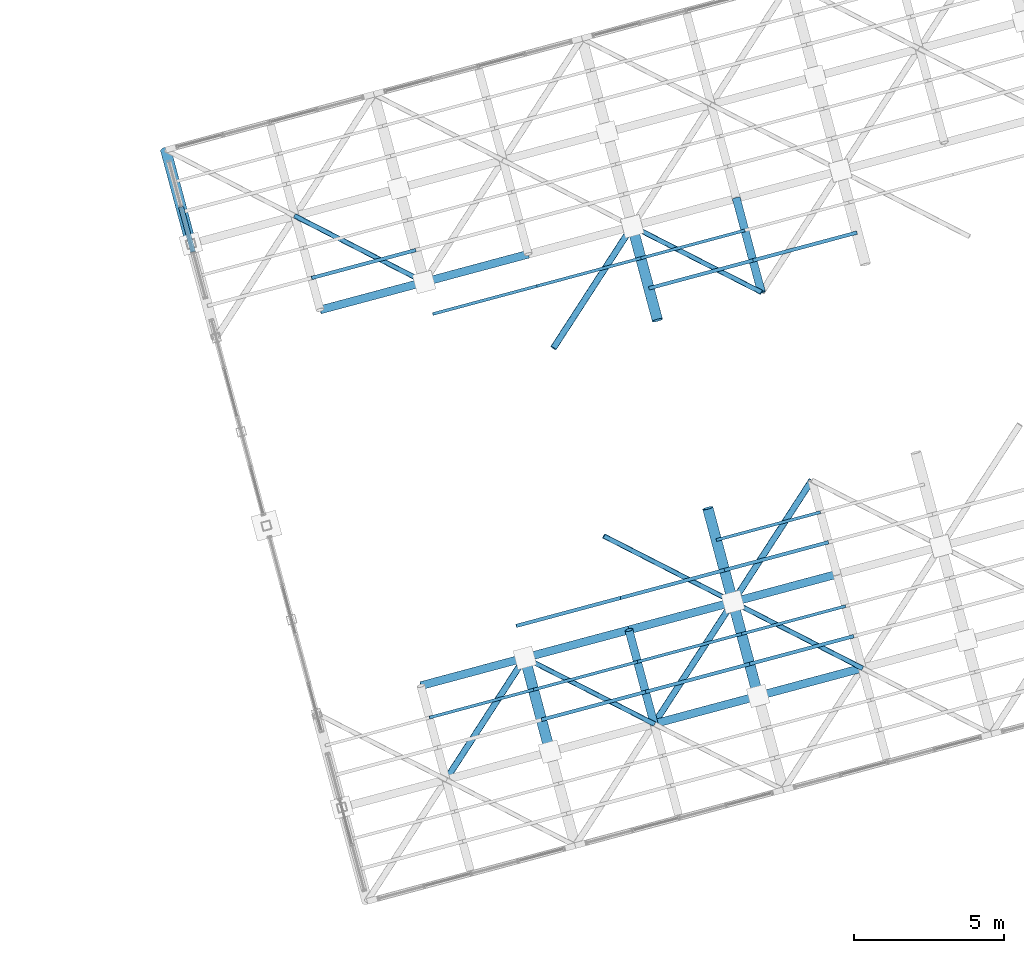
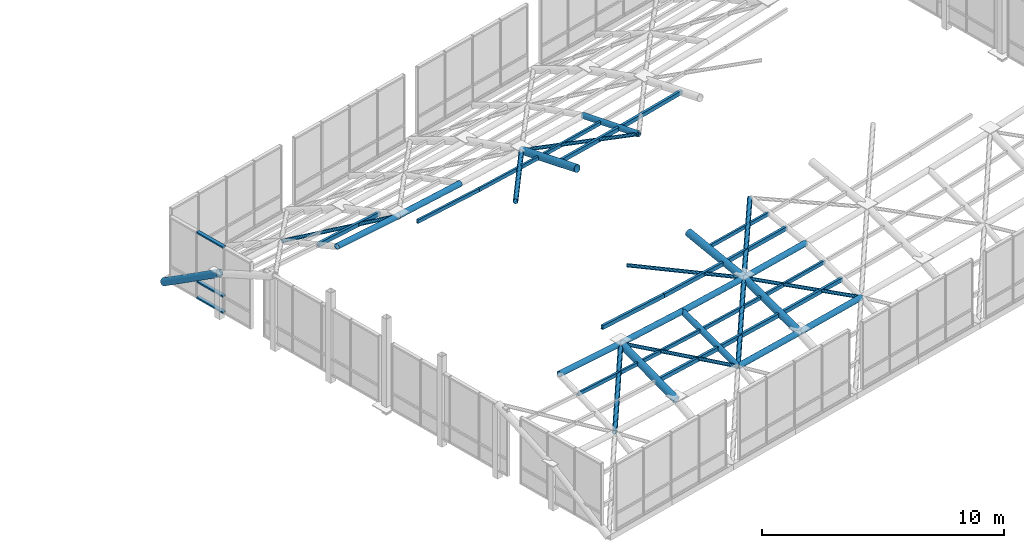
# One storey, part 9 of 29: 44 members, 1 element without a shape of its own.
"""IFC4 building model written with IfcOpenShell, lengths in metres."""

from ifc_helpers import new_model, si_unit, direction, frame, origin, origin_2d, place, context, subcontext, project, spatial, hollow_rectangle, hollow_circle, extrude, material, layer, layer_set, material_profile, profile_set, type_object, element, aggregate, save


model = new_model("IFC4")

# Units and contexts
model_context = context("Model", 3, precision=1e-05, world=origin(), true_north=direction((0.0, 1.0)))
body_context = subcontext(model_context, "Body", "Model", "MODEL_VIEW")
ifc_project = project(units=[si_unit("LENGTHUNIT", "METRE"), si_unit("AREAUNIT", "SQUARE_METRE"), si_unit("VOLUMEUNIT", "CUBIC_METRE"), si_unit("PLANEANGLEUNIT", "RADIAN"), si_unit("MASSUNIT", "GRAM", prefix="KILO")], contexts=[model_context])

# Site, building, storey
site_placement = place(None, origin())
site = spatial("IfcSite", under=ifc_project, at=site_placement, CompositionType="ELEMENT")
building_placement = place(site_placement, origin())
building = spatial("IfcBuilding", under=site, at=building_placement, Name="Ventoquebrada Cableway Terminal", CompositionType="ELEMENT")
storey_placement = place(building_placement, frame((0.0, 0.0, 18.89990234375)))
storey = spatial("IfcBuildingStorey", under=building, at=storey_placement, Name="L04", CompositionType="ELEMENT", Elevation=18.89990234375)

# Members
ifc_material_1 = material(Name="Steel ASTM A500 Grade C", Category="steel")
ifc_material_profile_1 = material_profile(ifc_material_1, hollow_circle(Radius=0.109619140625, WallThickness=0.010009765625, at=origin_2d()), Name="CHS219.1X10")
ifc_profile_set_1 = profile_set([ifc_material_profile_1], Name="Steel ASTM A500 Grade C")
member_type_1 = type_object("IfcMemberType", Name="BRC-GS01", PredefinedType="BRACE", material=ifc_profile_set_1)
member_1_placement = place(storey_placement, frame((54.614013671875, 73.85498046875, 2.797119140625), z_axis=(0.529692336881, 0.818062398582, 0.224053431744), x_axis=(-0.839402648036, 0.543510068416, 0.0)))
element("IfcMember", 1, at=member_1_placement, inside=storey, type_object=member_type_1, Name="Saddle gridshell diagrid brace GBR-0220", PredefinedType="BRACE", context=body_context, shape_type="SweptSolid", body=[
    extrude(hollow_circle(Radius=0.109619140625, WallThickness=0.010009765625, at=origin_2d()), origin(), (0.0, 0.0, 1.0), 4.9765625),
])
member_2_placement = place(storey_placement, frame((61.569091796875, 75.718994140625, 2.571044921875), z_axis=(0.530491126417, 0.819296057516, 0.217561795663), x_axis=(-0.839402648036, 0.543510068416, 0.0)))
element("IfcMember", 2, at=member_2_placement, inside=storey, type_object=member_type_1, Name="Saddle gridshell diagrid brace GBR-0268", PredefinedType="BRACE", context=body_context, shape_type="SweptSolid", body=[
    extrude(hollow_circle(Radius=0.109619140625, WallThickness=0.010009765625, at=origin_2d()), origin(), (0.0, 0.0, 1.0), 4.968994140625),
])
member_3_placement = place(storey_placement, frame((58.2041015625, 88.27587890625, 4.45703125), z_axis=(0.536175682864, 0.828075346092, -0.163728000963), x_axis=(-0.839402648036, 0.543510068416, 0.0)))
element("IfcMember", 3, at=member_3_placement, inside=storey, type_object=member_type_1, Name="Saddle gridshell diagrid brace GBR-0280", PredefinedType="BRACE", context=body_context, shape_type="SweptSolid", body=[
    extrude(hollow_circle(Radius=0.109619140625, WallThickness=0.010009765625, at=origin_2d()), origin(), (0.0, 0.0, 1.0), 4.916259765625),
])
member_4_placement = place(storey_placement, frame((64.205078125, 79.7900390625, 3.652099609375), z_axis=(0.538794464723, 0.832119820251, 0.131442495145), x_axis=(-0.839402648036, 0.543510068416, 0.0)))
element("IfcMember", 4, at=member_4_placement, inside=storey, type_object=member_type_1, Name="Saddle gridshell diagrid brace GBR-0295", PredefinedType="BRACE", context=body_context, shape_type="SweptSolid", body=[
    extrude(hollow_circle(Radius=0.109619140625, WallThickness=0.010009765625, at=origin_2d()), origin(), (0.0, 0.0, 1.0), 4.892333984375),
])
ifc_material_profile_2 = material_profile(ifc_material_1, hollow_circle(Radius=0.084228515625, WallThickness=0.008056640625, at=origin_2d()), Name="CHS168.3X8")
ifc_profile_set_2 = profile_set([ifc_material_profile_2], Name="Steel ASTM A500 Grade C")
member_type_2 = type_object("IfcMemberType", Name="BRC-GS02", PredefinedType="BRACE", material=ifc_profile_set_2)
member_5_placement = place(storey_placement, frame((49.56689453125, 92.69091796875, 2.797119140625), z_axis=(0.867766030376, -0.443619692427, 0.224017153396), x_axis=(0.455188209039, 0.890395246142, 0.0)))
element("IfcMember", 5, at=member_5_placement, inside=storey, type_object=member_type_2, Name="Saddle gridshell diagrid brace GBR-0235", PredefinedType="BRACE", context=body_context, shape_type="SweptSolid", body=[
    extrude(hollow_circle(Radius=0.084228515625, WallThickness=0.008056640625, at=origin_2d()), origin(), (0.0, 0.0, 1.0), 4.977294921875),
])
member_6_placement = place(storey_placement, frame((57.25, 77.926025390625, 3.912109375), z_axis=(0.858274732371, -0.43857348825, -0.266491611832), x_axis=(0.455028578566, 0.890476834448, 0.0)))
element("IfcMember", 6, at=member_6_placement, inside=storey, type_object=member_type_2, Name="Saddle gridshell diagrid brace GBR-0244", PredefinedType="BRACE", context=body_context, shape_type="SweptSolid", body=[
    extrude(hollow_circle(Radius=0.084228515625, WallThickness=0.008056640625, at=origin_2d()), origin(), (0.0, 0.0, 1.0), 5.0322265625),
])
member_7_placement = place(storey_placement, frame((59.885986328125, 81.9970703125, 4.45703125), z_axis=(0.878462169877, -0.448889153564, -0.163715435763), x_axis=(0.455028578566, 0.890476834448, 0.0)))
element("IfcMember", 7, at=member_7_placement, inside=storey, type_object=member_type_2, Name="Saddle gridshell diagrid brace GBR-0271", PredefinedType="BRACE", context=body_context, shape_type="SweptSolid", body=[
    extrude(hollow_circle(Radius=0.084228515625, WallThickness=0.008056640625, at=origin_2d()), origin(), (0.0, 0.0, 1.0), 4.916748046875),
])
member_8_placement = place(storey_placement, frame((64.205078125, 79.7900390625, 3.652099609375), z_axis=(0.866038702365, -0.44286181297, -0.232056847818), x_axis=(0.455290222831, 0.890343087239, 0.0)))
element("IfcMember", 8, at=member_8_placement, inside=storey, type_object=member_type_2, Name="Saddle gridshell diagrid brace GBR-0292", PredefinedType="BRACE", context=body_context, shape_type="SweptSolid", body=[
    extrude(hollow_circle(Radius=0.084228515625, WallThickness=0.008056640625, at=origin_2d()), origin(), (0.0, 0.0, 1.0), 4.98583984375),
])
member_9_placement = place(storey_placement, frame((60.840087890625, 92.346923828125, 3.652099609375), z_axis=(0.882661574001, -0.451260106007, 0.13142626263), x_axis=(0.455208608618, 0.890384817166, 0.0)))
element("IfcMember", 9, at=member_9_placement, inside=storey, type_object=member_type_2, Name="Saddle gridshell diagrid brace GBR-0304", PredefinedType="BRACE", context=body_context, shape_type="SweptSolid", body=[
    extrude(hollow_circle(Radius=0.084228515625, WallThickness=0.008056640625, at=origin_2d()), origin(), (0.0, 0.0, 1.0), 4.89306640625),
])
ifc_material_profile_3 = material_profile(ifc_material_1, hollow_circle(Radius=0.177734375, WallThickness=0.012451171875, at=origin_2d()), Name="CHS355.6X12.5")
ifc_profile_set_3 = profile_set([ifc_material_profile_3], Name="Steel ASTM A500 Grade C")
member_type_3 = type_object("IfcMemberType", Name="CHD-GS01", PredefinedType="CHORD", material=ifc_profile_set_3)
member_10_placement = place(storey_placement, frame((46.090087890625, 91.759033203125, 2.967041015625), z_axis=(-0.21899541805, 0.817307428117, -0.532963014493), x_axis=(-0.965926253902, -0.258817449225, 0.0)))
element("IfcMember", 10, at=member_10_placement, inside=storey, type_object=member_type_3, Name="Saddle gridshell arch chord GCH-0022", PredefinedType="CHORD", context=body_context, shape_type="SweptSolid", body=[
    extrude(hollow_circle(Radius=0.177734375, WallThickness=0.012451171875, at=origin_2d()), origin(), (0.0, 0.0, 1.0), 3.840576171875),
])
member_11_placement = place(storey_placement, frame((58.091064453125, 74.787109375, 2.6650390625), z_axis=(-0.241635634831, 0.901802425842, 0.35828006465), x_axis=(-0.965926253902, -0.258817449225, 0.0)))
element("IfcMember", 11, at=member_11_placement, inside=storey, type_object=member_type_3, Name="Saddle gridshell arch chord GCH-0032", PredefinedType="CHORD", context=body_context, shape_type="SweptSolid", body=[
    extrude(hollow_circle(Radius=0.177734375, WallThickness=0.012451171875, at=origin_2d()), origin(), (0.0, 0.0, 1.0), 3.480712890625),
])
member_12_placement = place(storey_placement, frame((65.0458984375, 76.64990234375, 2.51416015625), z_axis=(-0.244128197692, 0.911723832378, 0.330395333752), x_axis=(-0.965970169845, -0.258653495953, 0.0)))
element("IfcMember", 12, at=member_12_placement, inside=storey, type_object=member_type_3, Name="Saddle gridshell arch chord GCH-0048", PredefinedType="CHORD", context=body_context, shape_type="SweptSolid", body=[
    extrude(hollow_circle(Radius=0.177734375, WallThickness=0.012451171875, at=origin_2d()), origin(), (0.0, 0.0, 1.0), 3.444091796875),
])
member_13_placement = place(storey_placement, frame((64.205078125, 79.7900390625, 3.652099609375), z_axis=(-0.253266599061, 0.945210062157, 0.20599506838), x_axis=(-0.965926253902, -0.258817449225, 0.0)))
element("IfcMember", 13, at=member_13_placement, inside=storey, type_object=member_type_3, Name="Saddle gridshell arch chord GCH-0049", PredefinedType="CHORD", context=body_context, shape_type="SweptSolid", body=[
    extrude(hollow_circle(Radius=0.177734375, WallThickness=0.012451171875, at=origin_2d()), origin(), (0.0, 0.0, 1.0), 3.32080078125),
])
member_14_placement = place(storey_placement, frame((61.681884765625, 89.2080078125, 4.336181640625), z_axis=(-0.253472986182, 0.94515724575, -0.205983557797), x_axis=(-0.9658698883, -0.259027718353, 0.0)))
element("IfcMember", 14, at=member_14_placement, inside=storey, type_object=member_type_3, Name="Saddle gridshell arch chord GCH-0052", PredefinedType="CHORD", context=body_context, shape_type="SweptSolid", body=[
    extrude(hollow_circle(Radius=0.177734375, WallThickness=0.012451171875, at=origin_2d()), origin(), (0.0, 0.0, 1.0), 3.321044921875),
])
ifc_material_profile_4 = material_profile(ifc_material_1, hollow_circle(Radius=0.136474609375, WallThickness=0.012451171875, at=origin_2d()), Name="CHS273.0X12.5")
ifc_profile_set_4 = profile_set([ifc_material_profile_4], Name="Steel ASTM A500 Grade C")
member_type_4 = type_object("IfcMemberType", Name="CHD-GS02", PredefinedType="CHORD", material=ifc_profile_set_4)
member_15_placement = place(storey_placement, frame((61.569091796875, 75.718994140625, 2.571044921875), z_axis=(-0.243300598354, 0.908016195366, 0.341044583295), x_axis=(-0.965926253902, -0.258817449225, 0.0)))
element("IfcMember", 15, at=member_15_placement, inside=storey, type_object=member_type_4, Name="Saddle gridshell arch chord GCH-0040", PredefinedType="CHORD", context=body_context, shape_type="SweptSolid", body=[
    extrude(hollow_circle(Radius=0.136474609375, WallThickness=0.012451171875, at=origin_2d()), origin(), (0.0, 0.0, 1.0), 3.456787109375),
])
member_16_placement = place(storey_placement, frame((65.158935546875, 90.138916015625, 4.295166015625), z_axis=(-0.253250763343, 0.945793065655, -0.203321242928), x_axis=(-0.965970169845, -0.258653495953, 0.0)))
element("IfcMember", 16, at=member_16_placement, inside=storey, type_object=member_type_4, Name="Saddle gridshell arch chord GCH-0060", PredefinedType="CHORD", context=body_context, shape_type="SweptSolid", body=[
    extrude(hollow_circle(Radius=0.136474609375, WallThickness=0.012451171875, at=origin_2d()), origin(), (0.0, 0.0, 1.0), 3.320068359375),
])
member_17_placement = place(storey_placement, frame((61.569091796875, 75.718994140625, 2.571044921875), z_axis=(0.965853764374, 0.258605463349, -0.015802536837), x_axis=(-0.258637758898, 0.965974383549, 0.0)))
element("IfcMember", 17, at=member_17_placement, inside=storey, type_object=member_type_4, Name="Saddle gridshell longitudinal chord GLG-0116", PredefinedType="CHORD", context=body_context, shape_type="SweptSolid", body=[
    extrude(hollow_circle(Radius=0.136474609375, WallThickness=0.012451171875, at=origin_2d()), origin(), (0.0, 0.0, 1.0), 3.599609375),
])
member_18_placement = place(storey_placement, frame((65.0458984375, 76.64990234375, 2.51416015625), z_axis=(0.965880639423, 0.258933596497, -0.005289895371), x_axis=(-0.258937219442, 0.965894153822, 0.0)))
element("IfcMember", 18, at=member_18_placement, inside=storey, type_object=member_type_4, Name="Saddle gridshell longitudinal chord GLG-0117", PredefinedType="CHORD", context=body_context, shape_type="SweptSolid", body=[
    extrude(hollow_circle(Radius=0.136474609375, WallThickness=0.012451171875, at=origin_2d()), origin(), (0.0, 0.0, 1.0), 3.599853515625),
])
member_19_placement = place(storey_placement, frame((53.77294921875, 76.993896484375, 4.13818359375), z_axis=(0.963995016826, 0.258428098177, -0.062677951522), x_axis=(-0.258937219442, 0.965894153822, 0.0)))
element("IfcMember", 19, at=member_19_placement, inside=storey, type_object=member_type_4, Name="Saddle gridshell longitudinal chord GLG-0124", PredefinedType="CHORD", context=body_context, shape_type="SweptSolid", body=[
    extrude(hollow_circle(Radius=0.136474609375, WallThickness=0.012451171875, at=origin_2d()), origin(), (0.0, 0.0, 1.0), 3.60693359375),
])
member_20_placement = place(storey_placement, frame((57.25, 77.926025390625, 3.912109375), z_axis=(0.964951832699, 0.258544233147, -0.044975994448), x_axis=(-0.25880612736, 0.965929287495, 0.0)))
element("IfcMember", 20, at=member_20_placement, inside=storey, type_object=member_type_4, Name="Saddle gridshell longitudinal chord GLG-0125", PredefinedType="CHORD", context=body_context, shape_type="SweptSolid", body=[
    extrude(hollow_circle(Radius=0.136474609375, WallThickness=0.012451171875, at=origin_2d()), origin(), (0.0, 0.0, 1.0), 3.604248046875),
])
member_21_placement = place(storey_placement, frame((60.72802734375, 78.85791015625, 3.75), z_axis=(0.965537156817, 0.258841515569, -0.027185816591), x_axis=(-0.258937219442, 0.965894153822, 0.0)))
element("IfcMember", 21, at=member_21_placement, inside=storey, type_object=member_type_4, Name="Saddle gridshell longitudinal chord GLG-0126", PredefinedType="CHORD", context=body_context, shape_type="SweptSolid", body=[
    extrude(hollow_circle(Radius=0.136474609375, WallThickness=0.012451171875, at=origin_2d()), origin(), (0.0, 0.0, 1.0), 3.60107421875),
])
member_22_placement = place(storey_placement, frame((64.205078125, 79.7900390625, 3.652099609375), z_axis=(0.965936250394, 0.25862754882, -0.008885446865), x_axis=(-0.258637758898, 0.965974383549, 0.0)))
element("IfcMember", 22, at=member_22_placement, inside=storey, type_object=member_type_4, Name="Saddle gridshell longitudinal chord GLG-0127", PredefinedType="CHORD", context=body_context, shape_type="SweptSolid", body=[
    extrude(hollow_circle(Radius=0.136474609375, WallThickness=0.012451171875, at=origin_2d()), origin(), (0.0, 0.0, 1.0), 3.599365234375),
])
member_23_placement = place(storey_placement, frame((50.407958984375, 89.552001953125, 4.13818359375), z_axis=(0.964098380168, 0.258044863371, -0.062667071461), x_axis=(-0.258553052639, 0.965997059504, 0.0)))
element("IfcMember", 23, at=member_23_placement, inside=storey, type_object=member_type_4, Name="Saddle gridshell longitudinal chord GLG-0164", PredefinedType="CHORD", context=body_context, shape_type="SweptSolid", body=[
    extrude(hollow_circle(Radius=0.136474609375, WallThickness=0.012451171875, at=origin_2d()), origin(), (0.0, 0.0, 1.0), 3.607666015625),
])
member_24_placement = place(storey_placement, frame((53.885986328125, 90.48291015625, 3.912109375), z_axis=(0.964916257335, 0.258675064633, -0.044986967762), x_axis=(-0.258937219442, 0.965894153822, 0.0)))
element("IfcMember", 24, at=member_24_placement, inside=storey, type_object=member_type_4, Name="Saddle gridshell longitudinal chord GLG-0165", PredefinedType="CHORD", context=body_context, shape_type="SweptSolid", body=[
    extrude(hollow_circle(Radius=0.136474609375, WallThickness=0.012451171875, at=origin_2d()), origin(), (0.0, 0.0, 1.0), 3.603515625),
])

# Curtain wall, members
ifc_material_2 = material(Name="Anodized thermally-broken aluminium", Category="aluminium")
ifc_layer = layer(ifc_material_2, 0.159912109375)
ifc_layer_set = layer_set([ifc_layer], Name="Anodized thermally-broken aluminium")
curtain_wall_type = type_object("IfcCurtainWallType", Name="CW-T46", PredefinedType="USERDEFINED", material=ifc_layer_set)
curtain_wall_placement = place(storey_placement, origin())
curtain_wall = element("IfcCurtainWall", 25, at=curtain_wall_placement, inside=storey, type_object=curtain_wall_type, Name="Unitised glazed curtain wall CW-146", ObjectType="UNITISED CURTAIN WALL", PredefinedType="USERDEFINED")
ifc_material_profile_5 = material_profile(ifc_material_2, hollow_rectangle(XDim=0.074951171875, YDim=0.169921875, WallThickness=0.00439453125, at=origin_2d()), Name="CW-TRN-75X170")
ifc_profile_set_5 = profile_set([ifc_material_profile_5], Name="Anodized thermally-broken aluminium")
member_type_5 = type_object("IfcMemberType", Name="CWT-03", PredefinedType="USERDEFINED", material=ifc_profile_set_5)
member_25_placement = place(storey_placement, frame((45.760009765625, 92.990966796875, 1.130126953125), z_axis=(0.258505244572, -0.966009854261, 0.0), x_axis=(0.0, 0.0, 1.0)))
member_25 = element("IfcMember", 26, at=member_25_placement, type_object=member_type_5, Name="Curtain wall transom FTR-2076", ObjectType="TRANSOM", PredefinedType="USERDEFINED", context=body_context, shape_type="SweptSolid", body=[
    extrude(hollow_rectangle(XDim=0.074951171875, YDim=0.169921875, WallThickness=0.00439453125, at=origin_2d()), origin(), (0.0, 0.0, 1.0), 1.55078125),
])
member_26_placement = place(storey_placement, frame((45.760009765625, 92.990966796875, 1.945068359375), z_axis=(0.258505244572, -0.966009854261, 0.0), x_axis=(0.0, 0.0, 1.0)))
member_26 = element("IfcMember", 27, at=member_26_placement, type_object=member_type_5, Name="Curtain wall transom FTR-2077", ObjectType="TRANSOM", PredefinedType="USERDEFINED", context=body_context, shape_type="SweptSolid", body=[
    extrude(hollow_rectangle(XDim=0.074951171875, YDim=0.169921875, WallThickness=0.00439453125, at=origin_2d()), origin(), (0.0, 0.0, 1.0), 1.55078125),
])
member_27_placement = place(storey_placement, frame((45.760009765625, 92.990966796875, 4.420166015625), z_axis=(0.258505244572, -0.966009854261, 0.0), x_axis=(0.0, 0.0, 1.0)))
member_27 = element("IfcMember", 28, at=member_27_placement, type_object=member_type_5, Name="Curtain wall transom FTR-2078", ObjectType="TRANSOM", PredefinedType="USERDEFINED", context=body_context, shape_type="SweptSolid", body=[
    extrude(hollow_rectangle(XDim=0.074951171875, YDim=0.169921875, WallThickness=0.00439453125, at=origin_2d()), origin(), (0.0, 0.0, 1.0), 1.55078125),
])
aggregate(curtain_wall, [member_25, member_26, member_27])

# Members
ifc_material_profile_6 = material_profile(ifc_material_1, hollow_rectangle(XDim=0.1201171875, YDim=0.199951171875, WallThickness=0.008056640625, at=origin_2d()), Name="RHS200X120X8")
ifc_profile_set_6 = profile_set([ifc_material_profile_6], Name="Steel ASTM A500 Grade C")
member_type_6 = type_object("IfcMemberType", Name="PUR-RF01", PredefinedType="PURLIN", material=ifc_profile_set_6)
member_28_placement = place(storey_placement, frame((50.1220703125, 90.618896484375, 3.68212890625), z_axis=(0.9645121475, 0.258494130223, -0.053824733768), x_axis=(-0.258869387716, 0.96591233562, 0.0)))
element("IfcMember", 29, at=member_28_placement, inside=storey, type_object=member_type_6, Name="Gridshell secondary roof purlin GPR-0236", PredefinedType="PURLIN", context=body_context, shape_type="SweptSolid", body=[
    extrude(hollow_rectangle(XDim=0.1201171875, YDim=0.199951171875, WallThickness=0.008056640625, at=origin_2d()), origin(), (0.0, 0.0, 1.0), 3.60595703125),
])
member_29_placement = place(storey_placement, frame((57.804931640625, 75.85400390625, 3.089111328125), z_axis=(0.965420252377, 0.258669739107, -0.032460782036), x_axis=(-0.25880612736, 0.965929287495, 0.0)))
element("IfcMember", 30, at=member_29_placement, inside=storey, type_object=member_type_6, Name="Gridshell secondary roof purlin GPR-0245", PredefinedType="PURLIN", context=body_context, shape_type="SweptSolid", body=[
    extrude(hollow_rectangle(XDim=0.1201171875, YDim=0.199951171875, WallThickness=0.008056640625, at=origin_2d()), origin(), (0.0, 0.0, 1.0), 3.6025390625),
])
member_30_placement = place(storey_placement, frame((56.964111328125, 78.992919921875, 4.166015625), z_axis=(0.964755546121, 0.258577513169, -0.048830378993), x_axis=(-0.258886342435, 0.96590779151, 0.0)))
element("IfcMember", 31, at=member_30_placement, inside=storey, type_object=member_type_6, Name="Gridshell secondary roof purlin GPR-0248", PredefinedType="PURLIN", context=body_context, shape_type="SweptSolid", body=[
    extrude(hollow_rectangle(XDim=0.1201171875, YDim=0.199951171875, WallThickness=0.008056640625, at=origin_2d()), origin(), (0.0, 0.0, 1.0), 3.604736328125),
])
member_31_placement = place(storey_placement, frame((61.282958984375, 76.785888671875, 2.97216796875), z_axis=(0.965706102761, 0.258886806652, -0.01973181266), x_axis=(-0.258937219442, 0.965894153822, 0.0)))
element("IfcMember", 32, at=member_31_placement, inside=storey, type_object=member_type_6, Name="Gridshell secondary roof purlin GPR-0269", PredefinedType="PURLIN", context=body_context, shape_type="SweptSolid", body=[
    extrude(hollow_rectangle(XDim=0.1201171875, YDim=0.199951171875, WallThickness=0.008056640625, at=origin_2d()), origin(), (0.0, 0.0, 1.0), 3.6005859375),
])
member_32_placement = place(storey_placement, frame((60.44189453125, 79.925048828125, 3.989990234375), z_axis=(0.965500627149, 0.258763930194, -0.029150770234), x_axis=(-0.258873944891, 0.965911114263, 0.0)))
element("IfcMember", 33, at=member_32_placement, inside=storey, type_object=member_type_6, Name="Gridshell secondary roof purlin GPR-0272", PredefinedType="PURLIN", context=body_context, shape_type="SweptSolid", body=[
    extrude(hollow_rectangle(XDim=0.1201171875, YDim=0.199951171875, WallThickness=0.008056640625, at=origin_2d()), origin(), (0.0, 0.0, 1.0), 3.601318359375),
])
member_33_placement = place(storey_placement, frame((64.760009765625, 77.718017578125, 2.901123046875), z_axis=(0.965957581784, 0.258615100361, -0.006646808244), x_axis=(-0.258620813366, 0.965978920523, 0.0)))
element("IfcMember", 34, at=member_33_placement, inside=storey, type_object=member_type_6, Name="Gridshell secondary roof purlin GPR-0293", PredefinedType="PURLIN", context=body_context, shape_type="SweptSolid", body=[
    extrude(hollow_rectangle(XDim=0.1201171875, YDim=0.199951171875, WallThickness=0.008056640625, at=origin_2d()), origin(), (0.0, 0.0, 1.0), 3.599609375),
])
for number, where, z_axis, x_axis, name in (
    (35, (63.9189453125, 80.85693359375, 3.885009765625), (0.965846156285, 0.258924352247, -0.009969062279), (-0.258937219442, 0.965894153822, 0.0), "Gridshell secondary roof purlin GPR-0296"),
    (36, (61.39599609375, 90.27490234375, 4.10302734375), (0.965840790353, 0.258922913746, -0.010511537881), (-0.258937219442, 0.965894153822, 0.0), "Gridshell secondary roof purlin GPR-0305"),
):
    element("IfcMember", number, at=place(storey_placement, frame(where, z_axis=z_axis, x_axis=x_axis)), inside=storey, type_object=member_type_6, Name=name, PredefinedType="PURLIN", context=body_context, shape_type="SweptSolid", body=[
        extrude(hollow_rectangle(XDim=0.1201171875, YDim=0.199951171875, WallThickness=0.008056640625, at=origin_2d()), origin(), (0.0, 0.0, 1.0), 3.60009765625),
    ])
member_34_placement = place(storey_placement, frame((64.873046875, 91.20703125, 4.065185546875), z_axis=(0.965925543003, 0.258606522642, 0.01051246027), x_axis=(-0.258620813366, 0.965978920523, 0.0)))
element("IfcMember", 37, at=member_34_placement, inside=storey, type_object=member_type_6, Name="Gridshell secondary roof purlin GPR-0329", PredefinedType="PURLIN", context=body_context, shape_type="SweptSolid", body=[
    extrude(hollow_rectangle(XDim=0.1201171875, YDim=0.199951171875, WallThickness=0.008056640625, at=origin_2d()), origin(), (0.0, 0.0, 1.0), 3.599609375),
])
ifc_material_profile_7 = material_profile(ifc_material_1, hollow_rectangle(XDim=0.10009765625, YDim=0.179931640625, WallThickness=0.008056640625, at=origin_2d()), Name="RHS180X100X8")
ifc_profile_set_7 = profile_set([ifc_material_profile_7], Name="Steel ASTM A500 Grade C")
member_type_7 = type_object("IfcMemberType", Name="PUR-RF02", PredefinedType="PURLIN", material=ifc_profile_set_7)
member_35_placement = place(storey_placement, frame((54.05908203125, 75.927001953125, 3.68212890625), z_axis=(0.964505424419, 0.258515357419, -0.053843256261), x_axis=(-0.258890904628, 0.965906568722, 0.0)))
element("IfcMember", 38, at=member_35_placement, inside=storey, type_object=member_type_7, Name="Gridshell secondary roof purlin GPR-0222", PredefinedType="PURLIN", context=body_context, shape_type="SweptSolid", body=[
    extrude(hollow_rectangle(XDim=0.10009765625, YDim=0.179931640625, WallThickness=0.008056640625, at=origin_2d()), origin(), (0.0, 0.0, 1.0), 3.604736328125),
])
member_36_placement = place(storey_placement, frame((57.535888671875, 76.85888671875, 3.488037109375), z_axis=(0.96519431432, 0.258676954378, -0.038550860933), x_axis=(-0.258869387716, 0.96591233562, 0.0)))
element("IfcMember", 39, at=member_36_placement, inside=storey, type_object=member_type_7, Name="Gridshell secondary roof purlin GPR-0246", PredefinedType="PURLIN", context=body_context, shape_type="SweptSolid", body=[
    extrude(hollow_rectangle(XDim=0.10009765625, YDim=0.179931640625, WallThickness=0.008056640625, at=origin_2d()), origin(), (0.0, 0.0, 1.0), 3.603515625),
])
member_37_placement = place(storey_placement, frame((54.172119140625, 89.416015625, 4.166015625), z_axis=(0.96475368149, 0.258581897497, -0.048844000025), x_axis=(-0.258890904628, 0.965906568722, 0.0)))
element("IfcMember", 40, at=member_37_placement, inside=storey, type_object=member_type_7, Name="Gridshell secondary roof purlin GPR-0258", PredefinedType="PURLIN", context=body_context, shape_type="SweptSolid", body=[
    extrude(hollow_rectangle(XDim=0.10009765625, YDim=0.179931640625, WallThickness=0.008056640625, at=origin_2d()), origin(), (0.0, 0.0, 1.0), 3.603759765625),
])
member_38_placement = place(storey_placement, frame((61.013916015625, 77.791015625, 3.34912109375), z_axis=(0.965716093146, 0.258550446789, -0.023325820534), x_axis=(-0.258620813366, 0.965978920523, 0.0)))
element("IfcMember", 41, at=member_38_placement, inside=storey, type_object=member_type_7, Name="Gridshell secondary roof purlin GPR-0270", PredefinedType="PURLIN", context=body_context, shape_type="SweptSolid", body=[
    extrude(hollow_rectangle(XDim=0.10009765625, YDim=0.179931640625, WallThickness=0.008056640625, at=origin_2d()), origin(), (0.0, 0.0, 1.0), 3.6005859375),
])
member_39_placement = place(storey_placement, frame((57.64892578125, 90.347900390625, 3.989990234375), z_axis=(0.965483688322, 0.258827181717, -0.02915025881), x_axis=(-0.258937219442, 0.965894153822, 0.0)))
element("IfcMember", 42, at=member_39_placement, inside=storey, type_object=member_type_7, Name="Gridshell secondary roof purlin GPR-0282", PredefinedType="PURLIN", context=body_context, shape_type="SweptSolid", body=[
    extrude(hollow_rectangle(XDim=0.10009765625, YDim=0.179931640625, WallThickness=0.008056640625, at=origin_2d()), origin(), (0.0, 0.0, 1.0), 3.601318359375),
])
member_40_placement = place(storey_placement, frame((64.490966796875, 78.721923828125, 3.26513671875), z_axis=(0.965864777831, 0.258929344317, -0.007799076636), x_axis=(-0.258937219442, 0.965894153822, 0.0)))
element("IfcMember", 43, at=member_40_placement, inside=storey, type_object=member_type_7, Name="Gridshell secondary roof purlin GPR-0294", PredefinedType="PURLIN", context=body_context, shape_type="SweptSolid", body=[
    extrude(hollow_rectangle(XDim=0.10009765625, YDim=0.179931640625, WallThickness=0.008056640625, at=origin_2d()), origin(), (0.0, 0.0, 1.0), 3.599853515625),
])
member_41_placement = place(storey_placement, frame((63.64990234375, 81.862060546875, 4.10302734375), z_axis=(0.965925543003, 0.258606522642, -0.01051246027), x_axis=(-0.258620813366, 0.965978920523, 0.0)))
element("IfcMember", 44, at=member_41_placement, inside=storey, type_object=member_type_7, Name="Gridshell secondary roof purlin GPR-0297", PredefinedType="PURLIN", context=body_context, shape_type="SweptSolid", body=[
    extrude(hollow_rectangle(XDim=0.10009765625, YDim=0.179931640625, WallThickness=0.008056640625, at=origin_2d()), origin(), (0.0, 0.0, 1.0), 3.599609375),
])
member_42_placement = place(storey_placement, frame((61.1259765625, 91.280029296875, 3.885009765625), z_axis=(0.965951649349, 0.258540898425, -0.009696131255), x_axis=(-0.258553052639, 0.965997059504, 0.0)))
element("IfcMember", 45, at=member_42_placement, inside=storey, type_object=member_type_7, Name="Gridshell secondary roof purlin GPR-0306", PredefinedType="PURLIN", context=body_context, shape_type="SweptSolid", body=[
    extrude(hollow_rectangle(XDim=0.10009765625, YDim=0.179931640625, WallThickness=0.008056640625, at=origin_2d()), origin(), (0.0, 0.0, 1.0), 3.6005859375),
])

save(model, "model.ifc")
